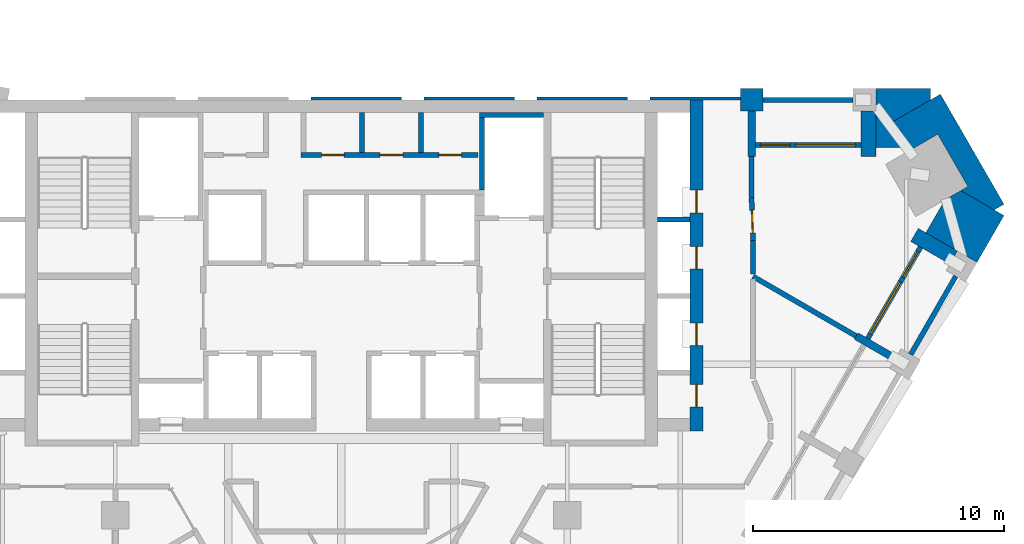
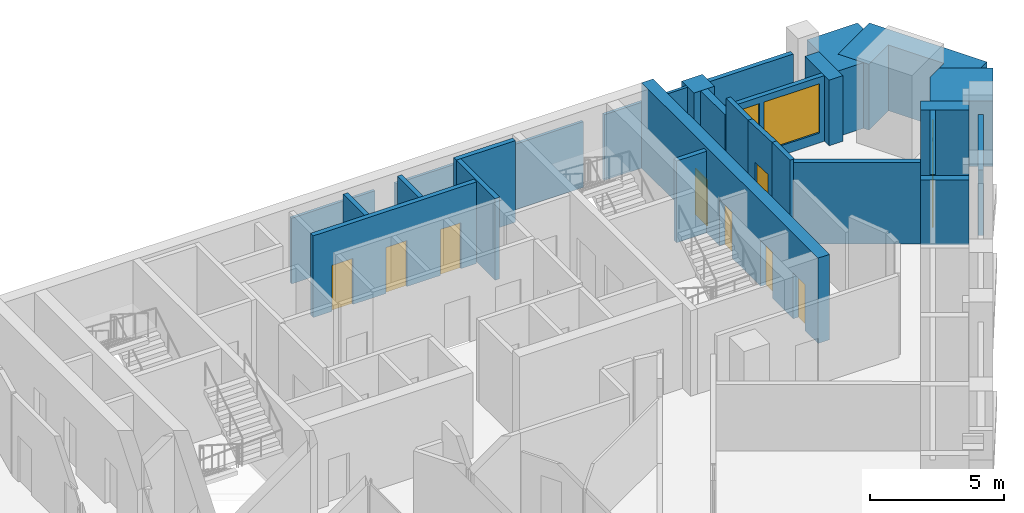
# One storey, part 7 of 9: 27 walls, 10 doors, 2 windows, 12 openings.
"""IFC4 building model written with IfcOpenShell, lengths in metres."""

from ifc_helpers import new_model, si_unit, direction, frame, frame_2d, origin, place, context, subcontext, project, spatial, polyline, rectangle, outline, extrude, material, layer, layer_set, type_object, element, fill, save


model = new_model("IFC4")

# Units and contexts
model_context = context("Model", 3, precision=1e-05, world=origin(), true_north=direction((0.0, 1.0)))
body_context = subcontext(model_context, "Body", "Model", "MODEL_VIEW")
ifc_project = project(units=[si_unit("LENGTHUNIT", "METRE"), si_unit("AREAUNIT", "SQUARE_METRE"), si_unit("VOLUMEUNIT", "CUBIC_METRE"), si_unit("PLANEANGLEUNIT", "RADIAN"), si_unit("MASSUNIT", "GRAM", prefix="KILO")], contexts=[model_context])

# Site, building, storey
site_placement = place(None, origin())
site = spatial("IfcSite", under=ifc_project, at=site_placement, CompositionType="ELEMENT")
building_placement = place(site_placement, origin())
building = spatial("IfcBuilding", under=site, at=building_placement, Name="Calabash Gate Tower", CompositionType="ELEMENT")
storey_placement = place(building_placement, frame((0.0, 0.0, 227.60009765625)))
storey = spatial("IfcBuildingStorey", under=building, at=storey_placement, Name="L54", CompositionType="ELEMENT", Elevation=227.60009765625)

# Walls
ifc_material_1 = material(Name="Terracotta brick masonry, exposed face", Category="masonry")
ifc_layer_1 = layer(ifc_material_1, 2.35009765625)
ifc_layer_set_1 = layer_set([ifc_layer_1], Name="Brick corner mass wall 2350")
wall_type_1 = type_object("IfcWallType", Name="Brick corner mass wall 2350", PredefinedType="SOLIDWALL", material=ifc_layer_set_1)
wall_1_placement = place(storey_placement, origin())
element("IfcWall", 1, at=wall_1_placement, inside=storey, type_object=wall_type_1, Name="Brick corner pier S15 3a", PredefinedType="SOLIDWALL", context=body_context, shape_type="SweptSolid", body=[
    extrude(outline(polyline([(23.288818359375, 13.752685546875), (25.323974609375, 12.57763671875), (26.400390625, 14.442138671875), (24.678466796875, 15.43603515625), (24.052001953125, 15.074462890625), (23.288818359375, 13.752685546875)])), origin(), (0.0, 0.0, 1.0), 3.0),
])
wall_2_placement = place(storey_placement, origin())
element("IfcWall", 2, at=wall_2_placement, inside=storey, type_object=wall_type_1, Name="Brick corner pier S15 3b", PredefinedType="SOLIDWALL", context=body_context, shape_type="SweptSolid", body=[
    extrude(outline(polyline([(23.76025390625, 17.67724609375), (24.960205078125, 15.598876953125), (24.678466796875, 15.43603515625), (26.0107421875, 14.6669921875), (26.400390625, 14.89208984375), (23.868408203125, 19.277587890625), (21.833251953125, 18.1025390625), (22.499267578125, 16.94921875), (23.76025390625, 17.67724609375)])), origin(), (0.0, 0.0, 1.0), 3.0),
])
wall_3_placement = place(storey_placement, origin())
element("IfcWall", 3, at=wall_3_placement, inside=storey, type_object=wall_type_1, Name="Brick corner pier S15 3c", PredefinedType="SOLIDWALL", context=body_context, shape_type="SweptSolid", body=[
    extrude(outline(polyline([(21.2939453125, 18.60302734375), (21.2939453125, 17.152587890625), (22.3818359375, 17.152587890625), (21.833251953125, 18.1025390625), (23.478759765625, 19.052490234375), (23.478759765625, 19.50244140625), (21.2939453125, 19.50244140625), (21.2939453125, 18.60302734375), (21.2939453125, 18.60302734375)])), origin(), (0.0, 0.0, 1.0), 3.0),
])
ifc_material_2 = material(Name="Terracotta brick masonry, exposed face", Category="masonry")
ifc_layer_2 = layer(ifc_material_2, 0.89990234375)
ifc_layer_set_2 = layer_set([ifc_layer_2], Name="Brick end wall 900")
wall_type_2 = type_object("IfcWallType", Name="Brick end wall 900", PredefinedType="SOLIDWALL", material=ifc_layer_set_2)
wall_4_placement = place(storey_placement, origin())
element("IfcWall", 4, at=wall_4_placement, inside=storey, type_object=wall_type_2, Name="Brick pier S15 N4.1", PredefinedType="SOLIDWALL", context=body_context, shape_type="SweptSolid", body=[
    extrude(outline(polyline([(16.7939453125, 19.50244140625), (15.893798828125, 19.50244140625), (15.893798828125, 18.6025390625), (16.7939453125, 18.6025390625), (16.7939453125, 19.50244140625)])), origin(), (0.0, 0.0, 1.0), 3.0),
])
ifc_material_3 = material(Name="Terracotta brick masonry, exposed face", Category="masonry")
ifc_layer_3 = layer(ifc_material_3, 0.300048828125)
ifc_layer_set_3 = layer_set([ifc_layer_3], Name="Brick loggia cheek wall 300")
wall_type_3 = type_object("IfcWallType", Name="Brick loggia cheek wall 300", PredefinedType="SOLIDWALL", material=ifc_layer_set_3)
wall_5_placement = place(storey_placement, frame((22.0693359375, 8.740966796875, 0.0), z_axis=(0.0, 0.0, 1.0), x_axis=(-0.866013897511, 0.50001992892, 0.0)))
element("IfcWall", 5, at=wall_5_placement, inside=storey, type_object=wall_type_3, Name="Loggia cheek S15 SE2.8", PredefinedType="SOLIDWALL", context=body_context, shape_type="SweptSolid", body=[
    extrude(rectangle(XDim=1.7998046875, YDim=0.300048828125, at=frame_2d((0.89990234375, 0.0))), origin(), (0.0, 0.0, 1.0), 2.949951171875),
])
wall_6_placement = place(storey_placement, frame((24.39453125, 12.767822265625, 0.0), z_axis=(0.0, 0.0, 1.0), x_axis=(-0.866047807691, 0.499961193289, 0.0)))
element("IfcWall", 6, at=wall_6_placement, inside=storey, type_object=wall_type_3, Name="Loggia cheek S15 SE2.9", PredefinedType="SOLIDWALL", context=body_context, shape_type="SweptSolid", body=[
    extrude(rectangle(XDim=1.800048828125, YDim=0.60009765625, at=frame_2d((0.89990234375, 0.0))), origin(), (0.0, 0.0, 1.0), 3.0),
])
wall_7_placement = place(storey_placement, origin())
element("IfcWall", 7, at=wall_7_placement, inside=storey, type_object=wall_type_3, Name="Loggia cheek S15 N4.0", PredefinedType="SOLIDWALL", context=body_context, shape_type="SweptSolid", body=[
    extrude(outline(polyline([(21.2939453125, 16.802490234375), (21.2939453125, 18.6025390625), (20.69384765625, 18.6025390625), (20.69384765625, 16.802490234375), (21.2939453125, 16.802490234375)])), origin(), (0.0, 0.0, 1.0), 3.0),
])
wall_8_placement = place(storey_placement, origin())
element("IfcWall", 8, at=wall_8_placement, inside=storey, type_object=wall_type_3, Name="Loggia cheek S15 N4.1", PredefinedType="SOLIDWALL", context=body_context, shape_type="SweptSolid", body=[
    extrude(outline(polyline([(16.19384765625, 18.6025390625), (16.19384765625, 16.802490234375), (16.493896484375, 16.802490234375), (16.493896484375, 18.6025390625), (16.19384765625, 18.6025390625)])), origin(), (0.0, 0.0, 1.0), 3.0),
])
ifc_material_4 = material(Name="Gypsum board on steel studs, mineral wool", Category="steel")
ifc_layer_4 = layer(ifc_material_4, 0.199951171875)
ifc_layer_set_4 = layer_set([ifc_layer_4], Name="Core partition 200 gypsum board")
wall_type_4 = type_object("IfcWallType", Name="Core partition 200 gypsum board", PredefinedType="PARTITIONING", material=ifc_layer_set_4)
for number, where, z_axis, x_axis, name in (
    (9, (0.833251953125, 16.95263671875, 0.0), (0.0, 0.0, 1.0), (0.0, 1.0, 0.0), "Core partition"),
    (10, (3.166748046875, 16.95263671875, 0.0), (0.0, 0.0, 1.0), (0.0, 1.0, 0.0), "Core partition"),
):
    element("IfcWall", number, at=place(storey_placement, frame(where, z_axis=z_axis, x_axis=x_axis)), inside=storey, type_object=wall_type_4, Name=name, PredefinedType="PARTITIONING", context=body_context, shape_type="SweptSolid", body=[
        extrude(rectangle(XDim=1.599853515625, YDim=0.199951171875, at=frame_2d((0.7998046875, 0.0))), origin(), (0.0, 0.0, 1.0), 3.72998046875),
    ])

# Wall, openings, doors
ifc_material_5 = material(Name="Concrete C70/85", Category="concrete")
ifc_layer_5 = layer(ifc_material_5, 0.5)
ifc_layer_set_5 = layer_set([ifc_layer_5], Name="Core wall 500 Concrete C70/85")
wall_type_5 = type_object("IfcWallType", Name="Core wall 500 Concrete C70/85", PredefinedType="SHEAR", material=ifc_layer_set_5)
wall_9_placement = place(storey_placement, frame((14.14990234375, 5.8525390625, 0.0), z_axis=(0.0, 0.0, 1.0), x_axis=(0.0, 1.0, 0.0)))
wall_9 = element("IfcWall", 11, at=wall_9_placement, inside=storey, type_object=wall_type_5, Name="Core wall Z4-ENDE L54", PredefinedType="SHEAR", context=body_context, shape_type="SweptSolid", body=[
    extrude(rectangle(XDim=13.199951171875, YDim=0.5, at=frame_2d((6.60009765625, 0.0))), origin(), (0.0, 0.0, 1.0), 3.89990234375),
])
opening_1_placement = place(wall_9_placement, frame((0.965087890625, 0.0, 0.0)))
opening_1 = element("IfcOpeningElement", 12, at=opening_1_placement, cuts=wall_9, Name="Opening O7-001", PredefinedType="OPENING", context=body_context, shape_type="SweptSolid", body=[
    extrude(rectangle(XDim=0.89990234375, YDim=2.10009765625, at=frame_2d((0.449951171875, 1.050048828125))), frame((0.0, 0.260009765625, 0.0), z_axis=(0.0, -1.0, 0.0), x_axis=(1.0, 0.0, 0.0)), (0.0, 0.0, 1.0), 0.52001953125),
])
opening_2_placement = place(wall_9_placement, frame((3.405029296875, 0.0, 0.0)))
opening_2 = element("IfcOpeningElement", 13, at=opening_2_placement, cuts=wall_9, Name="Opening O7-002", PredefinedType="OPENING", context=body_context, shape_type="SweptSolid", body=[
    extrude(rectangle(XDim=0.89990234375, YDim=2.10009765625, at=frame_2d((0.449951171875, 1.050048828125))), frame((0.0, 0.260009765625, 0.0), z_axis=(0.0, -1.0, 0.0), x_axis=(1.0, 0.0, 0.0)), (0.0, 0.0, 1.0), 0.52001953125),
])
opening_3_placement = place(wall_9_placement, frame((6.455078125, 0.0, 0.0)))
opening_3 = element("IfcOpeningElement", 14, at=opening_3_placement, cuts=wall_9, Name="Opening O7-003", PredefinedType="OPENING", context=body_context, shape_type="SweptSolid", body=[
    extrude(rectangle(XDim=0.89990234375, YDim=2.10009765625, at=frame_2d((0.449951171875, 1.050048828125))), frame((0.0, 0.260009765625, 0.0), z_axis=(0.0, -1.0, 0.0), x_axis=(1.0, 0.0, 0.0)), (0.0, 0.0, 1.0), 0.52001953125),
])
opening_4_placement = place(wall_9_placement, frame((8.697509765625, 0.0, 0.0)))
opening_4 = element("IfcOpeningElement", 15, at=opening_4_placement, cuts=wall_9, Name="Opening O7-004", PredefinedType="OPENING", context=body_context, shape_type="SweptSolid", body=[
    extrude(rectangle(XDim=0.89990234375, YDim=2.10009765625, at=frame_2d((0.449951171875, 1.050048828125))), frame((0.0, 0.260009765625, 0.0), z_axis=(0.0, -1.0, 0.0), x_axis=(1.0, 0.0, 0.0)), (0.0, 0.0, 1.0), 0.52001953125),
])
ifc_material_6 = material(Name="Steel fire door set with fire-resisting glazing", Category="steel")
door_type_1 = type_object("IfcDoorType", Name="Fire door D06 900x2100 FD60", OperationType="NOTDEFINED", PredefinedType="DOOR", material=ifc_material_6)
door_1_placement = place(opening_1_placement, origin())
door_1 = element("IfcDoor", 16, at=door_1_placement, inside=storey, type_object=door_type_1, Name="Cleaner's Store door", OperationType="SINGLE_SWING_LEFT", OverallHeight=2.10009765625, OverallWidth=0.89990234375, PredefinedType="DOOR", context=body_context, shape_type="SweptSolid", body=[
    extrude(rectangle(XDim=0.89990234375, YDim=2.10009765625, at=frame_2d((0.449951171875, 1.050048828125))), frame((0.0, 0.02490234375, 0.0), z_axis=(0.0, -1.0, 0.0), x_axis=(1.0, 0.0, 0.0)), (0.0, 0.0, 1.0), 0.050048828125),
])
fill(opening_1, door_1)
door_2_placement = place(opening_2_placement, origin())
door_2 = element("IfcDoor", 17, at=door_2_placement, inside=storey, type_object=door_type_1, Name="Duct Riser door", OperationType="SINGLE_SWING_RIGHT", OverallHeight=2.10009765625, OverallWidth=0.89990234375, PredefinedType="DOOR", context=body_context, shape_type="SweptSolid", body=[
    extrude(rectangle(XDim=0.89990234375, YDim=2.10009765625, at=frame_2d((0.449951171875, 1.050048828125))), frame((0.0, 0.02490234375, 0.0), z_axis=(0.0, -1.0, 0.0), x_axis=(1.0, 0.0, 0.0)), (0.0, 0.0, 1.0), 0.050048828125),
])
fill(opening_2, door_2)
door_3_placement = place(opening_3_placement, origin())
door_3 = element("IfcDoor", 18, at=door_3_placement, inside=storey, type_object=door_type_1, Name="Electrical Riser door", OperationType="SINGLE_SWING_LEFT", OverallHeight=2.10009765625, OverallWidth=0.89990234375, PredefinedType="DOOR", context=body_context, shape_type="SweptSolid", body=[
    extrude(rectangle(XDim=0.89990234375, YDim=2.10009765625, at=frame_2d((0.449951171875, 1.050048828125))), frame((0.0, 0.02490234375, 0.0), z_axis=(0.0, -1.0, 0.0), x_axis=(1.0, 0.0, 0.0)), (0.0, 0.0, 1.0), 0.050048828125),
])
fill(opening_3, door_3)
door_4_placement = place(opening_4_placement, origin())
door_4 = element("IfcDoor", 19, at=door_4_placement, inside=storey, type_object=door_type_1, Name="Comms Riser door", OperationType="SINGLE_SWING_LEFT", OverallHeight=2.10009765625, OverallWidth=0.89990234375, PredefinedType="DOOR", context=body_context, shape_type="SweptSolid", body=[
    extrude(rectangle(XDim=0.89990234375, YDim=2.10009765625, at=frame_2d((0.449951171875, 1.050048828125))), frame((0.0, 0.02490234375, 0.0), z_axis=(0.0, -1.0, 0.0), x_axis=(1.0, 0.0, 0.0)), (0.0, 0.0, 1.0), 0.050048828125),
])
fill(opening_4, door_4)

# Walls
ifc_material_7 = material(Name="Gypsum board on steel studs, mineral wool", Category="steel")
ifc_layer_6 = layer(ifc_material_7, 0.199951171875)
ifc_layer_set_6 = layer_set([ifc_layer_6], Name="Partition 200 gypsum board EI 60")
wall_type_6 = type_object("IfcWallType", Name="Partition 200 gypsum board EI 60", PredefinedType="PARTITIONING", material=ifc_layer_set_6)
wall_10_placement = place(storey_placement, frame((16.400634765625, 12.015869140625, 0.0), z_axis=(0.0, 0.0, 1.0), x_axis=(0.865862597781, -0.500281882306, 0.0)))
element("IfcWall", 20, at=wall_10_placement, inside=storey, type_object=wall_type_6, Name="Partition", PredefinedType="PARTITIONING", context=body_context, shape_type="SweptSolid", body=[
    extrude(rectangle(XDim=4.746826171875, YDim=0.199951171875, at=frame_2d((2.37353515625, 0.0))), origin(), (0.0, 0.0, 1.0), 3.72998046875),
])
wall_11_placement = place(storey_placement, frame((16.400390625, 13.45263671875, 0.0), z_axis=(0.0, 0.0, 1.0), x_axis=(0.001093692383, -0.999999401918, 0.0)))
element("IfcWall", 21, at=wall_11_placement, inside=storey, type_object=wall_type_6, Name="Partition", PredefinedType="PARTITIONING", context=body_context, shape_type="SweptSolid", body=[
    extrude(rectangle(XDim=1.33935546875, YDim=0.199951171875, at=frame_2d((0.669677734375, 0.0))), origin(), (0.0, 0.0, 1.0), 3.72998046875),
])

# Wall, opening, door
wall_12_placement = place(storey_placement, frame((16.344482421875, 15.152587890625, 0.0), z_axis=(0.0, 0.0, 1.0), x_axis=(0.032870350984, -0.99945962401, 0.0)))
wall_12 = element("IfcWall", 22, at=wall_12_placement, inside=storey, type_object=wall_type_6, Name="Partition", PredefinedType="PARTITIONING", context=body_context, shape_type="SweptSolid", body=[
    extrude(rectangle(XDim=1.700927734375, YDim=0.199951171875, at=frame_2d((0.8505859375, 0.0))), origin(), (0.0, 0.0, 1.0), 3.72998046875),
])
opening_5_placement = place(wall_12_placement, frame((0.50048828125, 0.0, 0.0)))
opening_5 = element("IfcOpeningElement", 23, at=opening_5_placement, cuts=wall_12, Name="Opening 52-54-010", PredefinedType="OPENING", context=body_context, shape_type="SweptSolid", body=[
    extrude(rectangle(XDim=0.89990234375, YDim=2.10009765625, at=frame_2d((0.449951171875, 1.050048828125))), frame((0.0, 0.10986328125, 0.0), z_axis=(0.0, -1.0, 0.0), x_axis=(1.0, 0.0, 0.0)), (0.0, 0.0, 1.0), 0.219970703125),
])
ifc_material_8 = material(Name="Steel fire door set with fire-resisting glazing", Category="steel")
door_type_2 = type_object("IfcDoorType", Name="SD3 Store door 900x2100", OperationType="NOTDEFINED", PredefinedType="DOOR", material=ifc_material_8)
door_5_placement = place(opening_5_placement, origin())
door_5 = element("IfcDoor", 24, at=door_5_placement, inside=storey, type_object=door_type_2, Name="Store door", OperationType="SINGLE_SWING_RIGHT", OverallHeight=2.10009765625, OverallWidth=0.89990234375, PredefinedType="DOOR", context=body_context, shape_type="SweptSolid", body=[
    extrude(rectangle(XDim=0.89990234375, YDim=2.10009765625, at=frame_2d((0.449951171875, 1.050048828125))), frame((0.0, 0.02490234375, 0.0), z_axis=(0.0, -1.0, 0.0), x_axis=(1.0, 0.0, 0.0)), (0.0, 0.0, 1.0), 0.050048828125),
])
fill(opening_5, door_5)

# Walls
wall_13_placement = place(storey_placement, frame((16.344482421875, 15.152587890625, 0.0), z_axis=(0.0, 0.0, 1.0), x_axis=(0.0, 1.0, 0.0)))
element("IfcWall", 25, at=wall_13_placement, inside=storey, type_object=wall_type_6, Name="Partition", PredefinedType="PARTITIONING", context=body_context, shape_type="SweptSolid", body=[
    extrude(rectangle(XDim=1.64990234375, YDim=0.199951171875, at=frame_2d((0.824951171875, 0.0))), origin(), (0.0, 0.0, 1.0), 3.72998046875),
])
ifc_material_9 = material(Name="Concrete C40/50", Category="concrete")
ifc_layer_7 = layer(ifc_material_9, 0.199951171875)
ifc_layer_set_7 = layer_set([ifc_layer_7], Name="Shaft wall 200 Concrete C40/50")
wall_type_7 = type_object("IfcWallType", Name="Shaft wall 200 Concrete C40/50", PredefinedType="SOLIDWALL", material=ifc_layer_set_7)
wall_14_placement = place(storey_placement, frame((12.60009765625, 14.28271484375, 0.0), z_axis=(0.0, 0.0, 1.0), x_axis=(1.0, 0.0, 0.0)))
element("IfcWall", 26, at=wall_14_placement, inside=storey, type_object=wall_type_7, Name="Shaft wall", PredefinedType="SOLIDWALL", context=body_context, shape_type="SweptSolid", body=[
    extrude(rectangle(XDim=1.2998046875, YDim=0.199951171875, at=frame_2d((0.64990234375, 0.0))), origin(), (0.0, 0.0, 1.0), 3.72998046875),
])
wall_15_placement = place(storey_placement, frame((5.60009765625, 15.45263671875, 0.0), z_axis=(0.0, 0.0, 1.0), x_axis=(0.0, 1.0, 0.0)))
element("IfcWall", 27, at=wall_15_placement, inside=storey, type_object=wall_type_7, Name="Shaft wall", PredefinedType="SOLIDWALL", context=body_context, shape_type="SweptSolid", body=[
    extrude(rectangle(XDim=2.89990234375, YDim=0.199951171875, at=frame_2d((1.449951171875, 0.0))), origin(), (0.0, 0.0, 1.0), 3.72998046875),
])

# Wall, openings, doors
wall_16_placement = place(storey_placement, frame((-1.60009765625, 16.8525390625, 0.0), z_axis=(0.0, 0.0, 1.0), x_axis=(1.0, 0.0, 0.0)))
wall_16 = element("IfcWall", 28, at=wall_16_placement, inside=storey, type_object=wall_type_7, Name="Shaft wall", PredefinedType="SOLIDWALL", context=body_context, shape_type="SweptSolid", body=[
    extrude(rectangle(XDim=7.050048828125, YDim=0.199951171875, at=frame_2d((3.52490234375, 0.0))), origin(), (0.0, 0.0, 1.0), 3.72998046875),
])
opening_6_placement = place(wall_16_placement, frame((0.816650390625, 0.0, 0.0)))
opening_6 = element("IfcOpeningElement", 29, at=opening_6_placement, cuts=wall_16, Name="Opening O7-013", PredefinedType="OPENING", context=body_context, shape_type="SweptSolid", body=[
    extrude(rectangle(XDim=0.89990234375, YDim=2.10009765625, at=frame_2d((0.449951171875, 1.050048828125))), frame((0.0, 0.10986328125, 0.0), z_axis=(0.0, -1.0, 0.0), x_axis=(1.0, 0.0, 0.0)), (0.0, 0.0, 1.0), 0.219970703125),
])
opening_7_placement = place(wall_16_placement, frame((3.14990234375, 0.0, 0.0)))
opening_7 = element("IfcOpeningElement", 30, at=opening_7_placement, cuts=wall_16, Name="Opening O7-014", PredefinedType="OPENING", context=body_context, shape_type="SweptSolid", body=[
    extrude(rectangle(XDim=0.89990234375, YDim=2.10009765625, at=frame_2d((0.449951171875, 1.050048828125))), frame((0.0, 0.10986328125, 0.0), z_axis=(0.0, -1.0, 0.0), x_axis=(1.0, 0.0, 0.0)), (0.0, 0.0, 1.0), 0.219970703125),
])
opening_8_placement = place(wall_16_placement, frame((5.4833984375, 0.0, 0.0)))
opening_8 = element("IfcOpeningElement", 31, at=opening_8_placement, cuts=wall_16, Name="Opening O7-015", PredefinedType="OPENING", context=body_context, shape_type="SweptSolid", body=[
    extrude(rectangle(XDim=0.89990234375, YDim=2.10009765625, at=frame_2d((0.449951171875, 1.050048828125))), frame((0.0, 0.10986328125, 0.0), z_axis=(0.0, -1.0, 0.0), x_axis=(1.0, 0.0, 0.0)), (0.0, 0.0, 1.0), 0.219970703125),
])
door_6_placement = place(opening_6_placement, origin())
door_6 = element("IfcDoor", 32, at=door_6_placement, inside=storey, type_object=door_type_1, Name="Cleaner's Store door", OperationType="SINGLE_SWING_LEFT", OverallHeight=2.10009765625, OverallWidth=0.89990234375, PredefinedType="DOOR", context=body_context, shape_type="SweptSolid", body=[
    extrude(rectangle(XDim=0.89990234375, YDim=2.10009765625, at=frame_2d((0.449951171875, 1.050048828125))), frame((0.0, 0.02490234375, 0.0), z_axis=(0.0, -1.0, 0.0), x_axis=(1.0, 0.0, 0.0)), (0.0, 0.0, 1.0), 0.050048828125),
])
fill(opening_6, door_6)
door_7_placement = place(opening_7_placement, origin())
door_7 = element("IfcDoor", 33, at=door_7_placement, inside=storey, type_object=door_type_1, Name="Tenant Pantry door", OperationType="SINGLE_SWING_LEFT", OverallHeight=2.10009765625, OverallWidth=0.89990234375, PredefinedType="DOOR", context=body_context, shape_type="SweptSolid", body=[
    extrude(rectangle(XDim=0.89990234375, YDim=2.10009765625, at=frame_2d((0.449951171875, 1.050048828125))), frame((0.0, 0.02490234375, 0.0), z_axis=(0.0, -1.0, 0.0), x_axis=(1.0, 0.0, 0.0)), (0.0, 0.0, 1.0), 0.050048828125),
])
fill(opening_7, door_7)
door_8_placement = place(opening_8_placement, origin())
door_8 = element("IfcDoor", 34, at=door_8_placement, inside=storey, type_object=door_type_1, Name="Print Room door", OperationType="SINGLE_SWING_RIGHT", OverallHeight=2.10009765625, OverallWidth=0.89990234375, PredefinedType="DOOR", context=body_context, shape_type="SweptSolid", body=[
    extrude(rectangle(XDim=0.89990234375, YDim=2.10009765625, at=frame_2d((0.449951171875, 1.050048828125))), frame((0.0, 0.02490234375, 0.0), z_axis=(0.0, -1.0, 0.0), x_axis=(1.0, 0.0, 0.0)), (0.0, 0.0, 1.0), 0.050048828125),
])
fill(opening_8, door_8)

# Walls
wall_17_placement = place(storey_placement, frame((5.5, 18.45263671875, 0.0), z_axis=(0.0, 0.0, 1.0), x_axis=(1.0, 0.0, 0.0)))
element("IfcWall", 35, at=wall_17_placement, inside=storey, type_object=wall_type_7, Name="Shaft wall", PredefinedType="SOLIDWALL", context=body_context, shape_type="SweptSolid", body=[
    extrude(rectangle(XDim=2.550048828125, YDim=0.199951171875, at=frame_2d((1.27490234375, 0.0))), origin(), (0.0, 0.0, 1.0), 3.72998046875),
])
ifc_material_10 = material(Name="Terracotta brick masonry, perforated", Category="masonry")
ifc_layer_8 = layer(ifc_material_10, 0.1201171875)
ifc_layer_set_8 = layer_set([ifc_layer_8], Name="Terracotta jaali cladding A 120")
wall_type_8 = type_object("IfcWallType", Name="Terracotta jaali cladding A 120", PredefinedType="SOLIDWALL", material=ifc_layer_set_8)
wall_18_placement = place(storey_placement, origin())
element("IfcWall", 36, at=wall_18_placement, inside=storey, type_object=wall_type_8, Name="Jaali cladding S15 N4.3", PredefinedType="SOLIDWALL", context=body_context, shape_type="SweptSolid", body=[
    extrude(outline(polyline([(7.7939453125, 19.172607421875), (7.7939453125, 19.052490234375), (11.393798828125, 19.052490234375), (11.393798828125, 19.172607421875), (7.7939453125, 19.172607421875)])), origin(), (0.0, 0.0, 1.0), 3.0),
])
wall_19_placement = place(storey_placement, origin())
element("IfcWall", 37, at=wall_19_placement, inside=storey, type_object=wall_type_8, Name="Jaali cladding S15 N4.5", PredefinedType="SOLIDWALL", context=body_context, shape_type="SweptSolid", body=[
    extrude(outline(polyline([(-1.2060546875, 19.172607421875), (-1.2060546875, 19.052490234375), (2.393798828125, 19.052490234375), (2.393798828125, 19.172607421875), (-1.2060546875, 19.172607421875)])), origin(), (0.0, 0.0, 1.0), 3.0),
])
ifc_material_11 = material(Name="Terracotta brick masonry, perforated", Category="masonry")
ifc_layer_9 = layer(ifc_material_11, 0.199951171875)
ifc_layer_set_9 = layer_set([ifc_layer_9], Name="Terracotta jaali screen A")
wall_type_9 = type_object("IfcWallType", Name="Terracotta jaali screen A", PredefinedType="SOLIDWALL", material=ifc_layer_set_9)
wall_20_placement = place(storey_placement, frame((22.684326171875, 8.905517578125, 0.0), z_axis=(0.0, 0.0, 1.0), x_axis=(0.500012057535, 0.866018442252, 0.0)))
element("IfcWall", 38, at=wall_20_placement, inside=storey, type_object=wall_type_9, Name="SCREEN A S15 SE2.9", PredefinedType="SOLIDWALL", context=body_context, shape_type="SweptSolid", body=[
    extrude(rectangle(XDim=3.60009765625, YDim=0.199951171875, at=frame_2d((1.800048828125, 0.0))), origin(), (0.0, 0.0, 1.0), 3.0),
])
wall_21_placement = place(storey_placement, frame((20.393798828125, 19.052490234375, 0.0), z_axis=(0.0, 0.0, 1.0), x_axis=(-1.0, 0.0, 0.0)))
element("IfcWall", 39, at=wall_21_placement, inside=storey, type_object=wall_type_9, Name="SCREEN A S15 N4.1", PredefinedType="SOLIDWALL", context=body_context, shape_type="SweptSolid", body=[
    extrude(rectangle(XDim=3.599853515625, YDim=0.199951171875, at=frame_2d((1.7998046875, 0.0))), origin(), (0.0, 0.0, 1.0), 3.0),
])
ifc_material_12 = material(Name="Terracotta louvre blades in an aluminium frame", Category="masonry")
ifc_layer_10 = layer(ifc_material_12, 0.1201171875)
ifc_layer_set_10 = layer_set([ifc_layer_10], Name="Terracotta vent louvre cladding 120")
wall_type_10 = type_object("IfcWallType", Name="Terracotta vent louvre cladding 120", PredefinedType="ELEMENTEDWALL", material=ifc_layer_set_10)
wall_22_placement = place(storey_placement, origin())
element("IfcWall", 40, at=wall_22_placement, inside=storey, type_object=wall_type_10, Name="Vent louvre cladding S15 N4.2", PredefinedType="ELEMENTEDWALL", context=body_context, shape_type="SweptSolid", body=[
    extrude(outline(polyline([(12.2939453125, 19.172607421875), (12.2939453125, 19.052490234375), (15.893310546875, 19.052490234375), (15.893310546875, 19.172607421875), (12.2939453125, 19.172607421875)])), origin(), (0.0, 0.0, 1.0), 3.0),
])
wall_23_placement = place(storey_placement, origin())
element("IfcWall", 41, at=wall_23_placement, inside=storey, type_object=wall_type_10, Name="Vent louvre cladding S15 N4.4", PredefinedType="ELEMENTEDWALL", context=body_context, shape_type="SweptSolid", body=[
    extrude(outline(polyline([(3.2939453125, 19.172607421875), (3.2939453125, 19.052490234375), (6.893798828125, 19.052490234375), (6.893798828125, 19.172607421875), (3.2939453125, 19.172607421875)])), origin(), (0.0, 0.0, 1.0), 3.0),
])

# Wall, openings, door, window
ifc_material_13 = material(Name="Aluminium framed window wall with insulated spandrel", Category="aluminium")
ifc_layer_11 = layer(ifc_material_13, 0.199951171875)
ifc_layer_set_11 = layer_set([ifc_layer_11], Name="Window wall 200")
wall_type_11 = type_object("IfcWallType", Name="Window wall 200", PredefinedType="ELEMENTEDWALL", material=ifc_layer_set_11)
wall_24_placement = place(storey_placement, frame((20.975341796875, 9.545654296875, 0.0), z_axis=(0.0, 0.0, 1.0), x_axis=(0.500002543286, 0.866023935413, 0.0)))
wall_24 = element("IfcWall", 42, at=wall_24_placement, inside=storey, type_object=wall_type_11, Name="Window wall S15 SE2.9", PredefinedType="ELEMENTEDWALL", context=body_context, shape_type="SweptSolid", body=[
    extrude(rectangle(XDim=4.2001953125, YDim=0.199951171875, at=frame_2d((2.10009765625, 0.0))), origin(), (0.0, 0.0, 1.0), 3.0),
])
opening_9_placement = place(wall_24_placement, frame((0.199951171875, 0.0, 0.449951171875)))
opening_9 = element("IfcOpeningElement", 43, at=opening_9_placement, cuts=wall_24, Name="Opening OW1", PredefinedType="OPENING", context=body_context, shape_type="SweptSolid", body=[
    extrude(rectangle(XDim=2.39990234375, YDim=2.25, at=frame_2d((1.199951171875, 1.125))), frame((0.0, 0.10986328125, 0.0), z_axis=(0.0, -1.0, 0.0), x_axis=(1.0, 0.0, 0.0)), (0.0, 0.0, 1.0), 0.219970703125),
])
opening_10_placement = place(wall_24_placement, frame((2.800048828125, 0.0, 0.0)))
opening_10 = element("IfcOpeningElement", 44, at=opening_10_placement, cuts=wall_24, Name="Opening O7-024", PredefinedType="OPENING", context=body_context, shape_type="SweptSolid", body=[
    extrude(rectangle(XDim=1.199951171875, YDim=2.699951171875, at=frame_2d((0.60009765625, 1.35009765625))), frame((0.0, 0.10986328125, 0.0), z_axis=(0.0, -1.0, 0.0), x_axis=(1.0, 0.0, 0.0)), (0.0, 0.0, 1.0), 0.219970703125),
])
ifc_material_14 = material(Name="Anodised aluminium frame, bronze finish, impact-rated laminated clear glazing", Category="aluminium")
door_type_3 = type_object("IfcDoorType", Name="Loggia door DO1 1200x2700", OperationType="SLIDING_TO_LEFT", PredefinedType="DOOR", material=ifc_material_14)
door_9_placement = place(opening_10_placement, origin())
door_9 = element("IfcDoor", 45, at=door_9_placement, inside=storey, type_object=door_type_3, Name="Loggia door S15 SE2.9", OperationType="SINGLE_SWING_LEFT", OverallHeight=2.699951171875, OverallWidth=1.199951171875, PredefinedType="DOOR", context=body_context, shape_type="SweptSolid", body=[
    extrude(rectangle(XDim=1.199951171875, YDim=2.699951171875, at=frame_2d((0.60009765625, 1.35009765625))), frame((0.0, 0.02490234375, 0.0), z_axis=(0.0, -1.0, 0.0), x_axis=(1.0, 0.0, 0.0)), (0.0, 0.0, 1.0), 0.050048828125),
])
fill(opening_10, door_9)
ifc_material_15 = material(Name="Anodised aluminium frame, bronze finish, impact-rated laminated clear glazing", Category="aluminium")
window_type = type_object("IfcWindowType", Name="Window OW1 2400x2250", PartitioningType="DOUBLE_PANEL_VERTICAL", PredefinedType="WINDOW", material=ifc_material_15)
window_1_placement = place(opening_9_placement, origin())
window_1 = element("IfcWindow", 46, at=window_1_placement, inside=storey, type_object=window_type, Name="Window OW1 S15 SE2.9", OverallHeight=2.25, OverallWidth=2.39990234375, PartitioningType="SINGLE_PANEL", PredefinedType="WINDOW", context=body_context, shape_type="SweptSolid", body=[
    extrude(rectangle(XDim=2.39990234375, YDim=2.25, at=frame_2d((1.199951171875, 1.125))), frame((0.0, 0.030029296875, 0.0), z_axis=(0.0, -1.0, 0.0), x_axis=(1.0, 0.0, 0.0)), (0.0, 0.0, 1.0), 0.06005859375),
])
fill(opening_9, window_1)

wall_25_placement = place(storey_placement, frame((20.69384765625, 17.25244140625, 0.0), z_axis=(0.0, 0.0, 1.0), x_axis=(-1.0, 0.0, 0.0)))
wall_25 = element("IfcWall", 47, at=wall_25_placement, inside=storey, type_object=wall_type_11, Name="Window wall S15 N4.1", PredefinedType="ELEMENTEDWALL", context=body_context, shape_type="SweptSolid", body=[
    extrude(rectangle(XDim=4.199951171875, YDim=0.199951171875, at=frame_2d((2.10009765625, 0.0))), origin(), (0.0, 0.0, 1.0), 3.0),
])
opening_11_placement = place(wall_25_placement, frame((0.199951171875, 0.0, 0.449951171875)))
opening_11 = element("IfcOpeningElement", 48, at=opening_11_placement, cuts=wall_25, Name="Opening OW1", PredefinedType="OPENING", context=body_context, shape_type="SweptSolid", body=[
    extrude(rectangle(XDim=2.39990234375, YDim=2.25, at=frame_2d((1.199951171875, 1.125))), frame((0.0, 0.10986328125, 0.0), z_axis=(0.0, -1.0, 0.0), x_axis=(1.0, 0.0, 0.0)), (0.0, 0.0, 1.0), 0.219970703125),
])
opening_12_placement = place(wall_25_placement, frame((2.800048828125, 0.0, 0.0)))
opening_12 = element("IfcOpeningElement", 49, at=opening_12_placement, cuts=wall_25, Name="Opening O7-022", PredefinedType="OPENING", context=body_context, shape_type="SweptSolid", body=[
    extrude(rectangle(XDim=1.199951171875, YDim=2.699951171875, at=frame_2d((0.60009765625, 1.35009765625))), frame((0.0, 0.10986328125, 0.0), z_axis=(0.0, -1.0, 0.0), x_axis=(1.0, 0.0, 0.0)), (0.0, 0.0, 1.0), 0.219970703125),
])
door_10_placement = place(opening_12_placement, origin())
door_10 = element("IfcDoor", 50, at=door_10_placement, inside=storey, type_object=door_type_3, Name="Loggia door S15 N4.1", OperationType="SINGLE_SWING_LEFT", OverallHeight=2.699951171875, OverallWidth=1.199951171875, PredefinedType="DOOR", context=body_context, shape_type="SweptSolid", body=[
    extrude(rectangle(XDim=1.199951171875, YDim=2.699951171875, at=frame_2d((0.60009765625, 1.35009765625))), frame((0.0, 0.02490234375, 0.0), z_axis=(0.0, -1.0, 0.0), x_axis=(1.0, 0.0, 0.0)), (0.0, 0.0, 1.0), 0.050048828125),
])
fill(opening_12, door_10)
window_2_placement = place(opening_11_placement, origin())
window_2 = element("IfcWindow", 51, at=window_2_placement, inside=storey, type_object=window_type, Name="Window OW1 S15 N4.1", OverallHeight=2.25, OverallWidth=2.39990234375, PartitioningType="SINGLE_PANEL", PredefinedType="WINDOW", context=body_context, shape_type="SweptSolid", body=[
    extrude(rectangle(XDim=2.39990234375, YDim=2.25, at=frame_2d((1.199951171875, 1.125))), frame((0.0, 0.030029296875, 0.0), z_axis=(0.0, -1.0, 0.0), x_axis=(1.0, 0.0, 0.0)), (0.0, 0.0, 1.0), 0.06005859375),
])
fill(opening_11, window_2)

save(model, "model.ifc")
